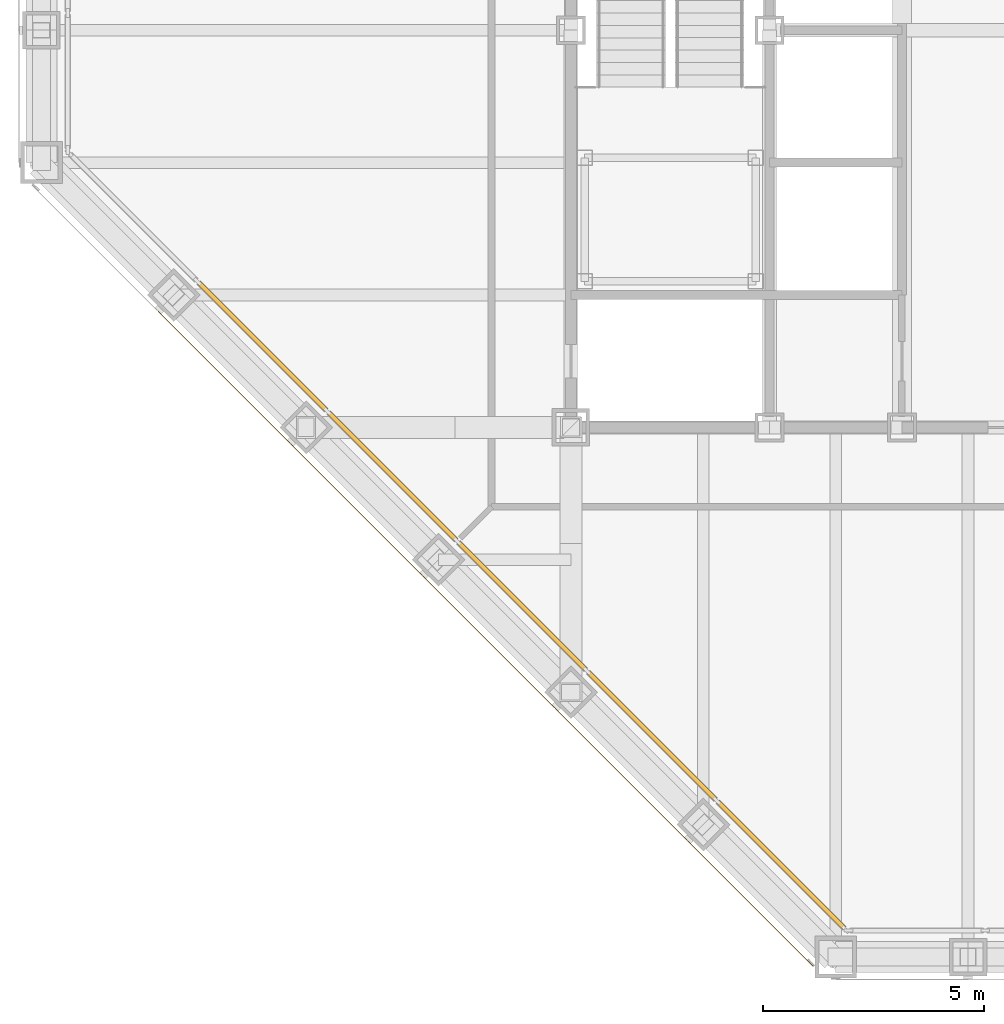
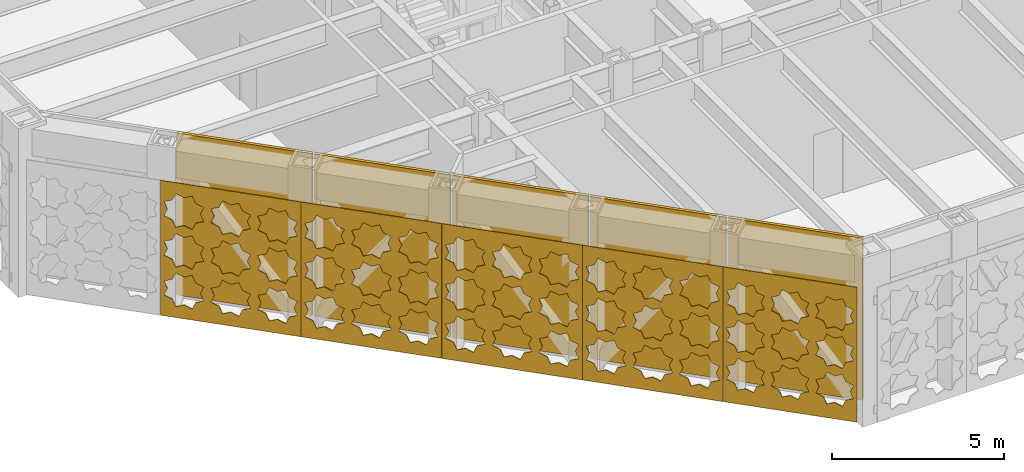
# One storey, part 21 of 28: 5 coverings, 5 shading devices, 1 element without a shape of its own.
"""IFC4 building model written with IfcOpenShell, lengths in metres."""

from ifc_helpers import new_model, si_unit, direction, frame, origin, origin_2d, place, context, subcontext, project, spatial, polyline, rectangle, outline, extrude, material, layer, layer_set, type_object, element, aggregate, save


model = new_model("IFC4")

# Units and contexts
model_context = context("Model", 3, precision=1e-05, world=origin(), true_north=direction((0.0, 1.0)))
body_context = subcontext(model_context, "Body", "Model", "MODEL_VIEW")
ifc_project = project(units=[si_unit("LENGTHUNIT", "METRE"), si_unit("AREAUNIT", "SQUARE_METRE"), si_unit("VOLUMEUNIT", "CUBIC_METRE"), si_unit("PLANEANGLEUNIT", "RADIAN"), si_unit("MASSUNIT", "GRAM", prefix="KILO")], contexts=[model_context])

# Site, building, storey
site_placement = place(None, origin())
site = spatial("IfcSite", under=ifc_project, at=site_placement, CompositionType="ELEMENT")
building_placement = place(site_placement, origin())
building = spatial("IfcBuilding", under=site, at=building_placement, Name="Chuquiago Exchange Tower", CompositionType="ELEMENT")
storey_placement = place(building_placement, frame((0.0, 0.0, 174.0)))
storey = spatial("IfcBuildingStorey", under=building, at=storey_placement, Name="L38", CompositionType="ELEMENT", Elevation=174.0)

# Curtain wall, shading devices
ifc_material_1 = material(Name="Aluminium curtain wall system", Category="aluminium")
ifc_layer_1 = layer(ifc_material_1, 0.199951171875)
ifc_layer_set_1 = layer_set([ifc_layer_1], Name="CW6 plant floor louvre wall")
curtain_wall_type = type_object("IfcCurtainWallType", Name="CW6 plant floor louvre wall", PredefinedType="NOTDEFINED", material=ifc_layer_set_1)
curtain_wall_placement = place(storey_placement, origin())
curtain_wall = element("IfcCurtainWall", 1, at=curtain_wall_placement, inside=storey, type_object=curtain_wall_type, Name="CW6 curtain wall L38", PredefinedType="NOTDEFINED")
ifc_material_2 = material(Name="Aluminium louvre", Category="aluminium")
ifc_layer_2 = layer(ifc_material_2, 0.10009765625)
ifc_layer_set_2 = layer_set([ifc_layer_2], Name="CW6-P louvre panel 100")
shading_device_type = type_object("IfcShadingDeviceType", Name="CW6-P louvre panel 100", PredefinedType="USERDEFINED", material=ifc_layer_set_2)
shading_device_1_placement = place(storey_placement, frame((5.01220703125, 13.83642578125, 0.0751953125), z_axis=(0.0, 0.0, 1.0), x_axis=(0.707106781187, -0.707106781187, 0.0)))
shading_device_1 = element("IfcShadingDevice", 2, at=shading_device_1_placement, type_object=shading_device_type, Name="CW6 panel 2.1", ObjectType="LOUVER", PredefinedType="USERDEFINED", context=body_context, shape_type="SweptSolid", body=[
    extrude(rectangle(XDim=4.084716796875, YDim=0.10009765625, at=origin_2d()), origin(), (0.0, 0.0, 1.0), 5.764892578125),
])
shading_device_2_placement = place(storey_placement, frame((7.95361328125, 10.89501953125, 0.0751953125), z_axis=(0.0, 0.0, 1.0), x_axis=(0.707106781187, -0.707106781187, 0.0)))
shading_device_2 = element("IfcShadingDevice", 3, at=shading_device_2_placement, type_object=shading_device_type, Name="CW6 panel 3.1", ObjectType="LOUVER", PredefinedType="USERDEFINED", context=body_context, shape_type="SweptSolid", body=[
    extrude(rectangle(XDim=4.084716796875, YDim=0.10009765625, at=origin_2d()), origin(), (0.0, 0.0, 1.0), 5.764892578125),
])
shading_device_3_placement = place(storey_placement, frame((10.89501953125, 7.95361328125, 0.0751953125), z_axis=(0.0, 0.0, 1.0), x_axis=(0.707106781187, -0.707106781187, 0.0)))
shading_device_3 = element("IfcShadingDevice", 4, at=shading_device_3_placement, type_object=shading_device_type, Name="CW6 panel 4.1", ObjectType="LOUVER", PredefinedType="USERDEFINED", context=body_context, shape_type="SweptSolid", body=[
    extrude(rectangle(XDim=4.084716796875, YDim=0.10009765625, at=origin_2d()), origin(), (0.0, 0.0, 1.0), 5.764892578125),
])
shading_device_4_placement = place(storey_placement, frame((13.83642578125, 5.01220703125, 0.0751953125), z_axis=(0.0, 0.0, 1.0), x_axis=(0.707106781187, -0.707106781187, 0.0)))
shading_device_4 = element("IfcShadingDevice", 5, at=shading_device_4_placement, type_object=shading_device_type, Name="CW6 panel 5.1", ObjectType="LOUVER", PredefinedType="USERDEFINED", context=body_context, shape_type="SweptSolid", body=[
    extrude(rectangle(XDim=4.084716796875, YDim=0.10009765625, at=origin_2d()), origin(), (0.0, 0.0, 1.0), 5.764892578125),
])
shading_device_5_placement = place(storey_placement, frame((16.7646484375, 2.083984375, 0.0751953125), z_axis=(0.0, 0.0, 1.0), x_axis=(0.707106781187, -0.707106781187, 0.0)))
shading_device_5 = element("IfcShadingDevice", 6, at=shading_device_5_placement, type_object=shading_device_type, Name="CW6 panel 6.1", ObjectType="LOUVER", PredefinedType="USERDEFINED", context=body_context, shape_type="SweptSolid", body=[
    extrude(rectangle(XDim=4.04736328125, YDim=0.10009765625, at=origin_2d()), origin(), (0.0, 0.0, 1.0), 5.764892578125),
])
aggregate(curtain_wall, [shading_device_1, shading_device_2, shading_device_3, shading_device_4, shading_device_5])

# Coverings
ifc_material_3 = material(Name="Anodised aluminium, pale", Category="aluminium")
ifc_layer_3 = layer(ifc_material_3, 0.02001953125)
ifc_layer_set_3 = layer_set([ifc_layer_3], Name="GC2 girih cladding panel 20")
covering_type_1 = type_object("IfcCoveringType", Name="GC2 girih cladding panel 20", PredefinedType="CLADDING", material=ifc_layer_set_3)
covering_1_placement = place(storey_placement, frame((2.64990234375, 14.642822265625, 0.050048828125), z_axis=(0.0, 0.0, 1.0), x_axis=(0.707106781187, -0.707106781187, 0.0)))
element("IfcCovering", 7, at=covering_1_placement, inside=storey, type_object=covering_type_1, Name="Girih cladding panel L38 SW 2", PredefinedType="CLADDING", context=body_context, shape_type="SweptSolid", body=[
    extrude(outline(polyline([(0.0, 0.0), (4.232666015625, 0.0), (4.232666015625, 4.7900390625), (0.0, 4.7900390625), (0.0, 0.0)]), holes=[polyline([(1.2021484375, 0.984130859375), (1.304931640625, 1.232421875), (1.056640625, 1.33544921875), (0.953857421875, 1.583740234375), (0.70556640625, 1.480712890625), (0.45703125, 1.583740234375), (0.354248046875, 1.33544921875), (0.10595703125, 1.232421875), (0.208740234375, 0.984130859375), (0.10595703125, 0.735595703125), (0.354248046875, 0.6328125), (0.45703125, 0.384521484375), (0.705322265625, 0.4873046875), (0.953857421875, 0.384521484375), (1.056640625, 0.6328125), (1.304931640625, 0.735595703125), (1.2021484375, 0.984130859375)]), polyline([(2.613037109375, 0.984130859375), (2.7158203125, 1.232421875), (2.467529296875, 1.33544921875), (2.36474609375, 1.583740234375), (2.116455078125, 1.480712890625), (1.867919921875, 1.583740234375), (1.76513671875, 1.33544921875), (1.516845703125, 1.232421875), (1.61962890625, 0.984130859375), (1.516845703125, 0.735595703125), (1.76513671875, 0.6328125), (1.867919921875, 0.384521484375), (2.116455078125, 0.4873046875), (2.36474609375, 0.384521484375), (2.467529296875, 0.6328125), (2.7158203125, 0.735595703125), (2.613037109375, 0.984130859375)]), polyline([(4.02392578125, 0.984130859375), (4.126708984375, 1.232421875), (3.87841796875, 1.33544921875), (3.775634765625, 1.583740234375), (3.527099609375, 1.480712890625), (3.27880859375, 1.583740234375), (3.176025390625, 1.33544921875), (2.927734375, 1.232421875), (3.030517578125, 0.984130859375), (2.927734375, 0.735595703125), (3.176025390625, 0.6328125), (3.27880859375, 0.384521484375), (3.527099609375, 0.4873046875), (3.775634765625, 0.384521484375), (3.87841796875, 0.6328125), (4.126708984375, 0.735595703125), (4.02392578125, 0.984130859375)]), polyline([(1.2021484375, 2.39501953125), (1.304931640625, 2.643310546875), (1.056640625, 2.746337890625), (0.953857421875, 2.99462890625), (0.70556640625, 2.8916015625), (0.45703125, 2.99462890625), (0.354248046875, 2.746337890625), (0.10595703125, 2.643310546875), (0.208740234375, 2.39501953125), (0.10595703125, 2.146484375), (0.354248046875, 2.043701171875), (0.45703125, 1.79541015625), (0.705322265625, 1.898193359375), (0.953857421875, 1.79541015625), (1.056640625, 2.043701171875), (1.304931640625, 2.146484375), (1.2021484375, 2.39501953125)]), polyline([(2.613037109375, 2.39501953125), (2.7158203125, 2.643310546875), (2.467529296875, 2.746337890625), (2.36474609375, 2.99462890625), (2.116455078125, 2.8916015625), (1.867919921875, 2.99462890625), (1.76513671875, 2.746337890625), (1.516845703125, 2.643310546875), (1.61962890625, 2.39501953125), (1.516845703125, 2.146484375), (1.76513671875, 2.043701171875), (1.867919921875, 1.79541015625), (2.116455078125, 1.898193359375), (2.36474609375, 1.79541015625), (2.467529296875, 2.043701171875), (2.7158203125, 2.146484375), (2.613037109375, 2.39501953125)]), polyline([(4.02392578125, 2.39501953125), (4.126708984375, 2.643310546875), (3.87841796875, 2.746337890625), (3.775634765625, 2.99462890625), (3.527099609375, 2.8916015625), (3.27880859375, 2.99462890625), (3.176025390625, 2.746337890625), (2.927734375, 2.643310546875), (3.030517578125, 2.39501953125), (2.927734375, 2.146484375), (3.176025390625, 2.043701171875), (3.27880859375, 1.79541015625), (3.527099609375, 1.898193359375), (3.775634765625, 1.79541015625), (3.87841796875, 2.043701171875), (4.126708984375, 2.146484375), (4.02392578125, 2.39501953125)]), polyline([(1.2021484375, 3.805908203125), (1.304931640625, 4.05419921875), (1.056640625, 4.1572265625), (0.953857421875, 4.405517578125), (0.70556640625, 4.302490234375), (0.45703125, 4.405517578125), (0.354248046875, 4.1572265625), (0.10595703125, 4.05419921875), (0.208740234375, 3.805908203125), (0.10595703125, 3.557373046875), (0.354248046875, 3.45458984375), (0.45703125, 3.206298828125), (0.705322265625, 3.30908203125), (0.953857421875, 3.206298828125), (1.056640625, 3.45458984375), (1.304931640625, 3.557373046875), (1.2021484375, 3.805908203125)]), polyline([(2.613037109375, 3.805908203125), (2.7158203125, 4.05419921875), (2.467529296875, 4.1572265625), (2.36474609375, 4.405517578125), (2.116455078125, 4.302490234375), (1.867919921875, 4.405517578125), (1.76513671875, 4.1572265625), (1.516845703125, 4.05419921875), (1.61962890625, 3.805908203125), (1.516845703125, 3.557373046875), (1.76513671875, 3.45458984375), (1.867919921875, 3.206298828125), (2.116455078125, 3.30908203125), (2.36474609375, 3.206298828125), (2.467529296875, 3.45458984375), (2.7158203125, 3.557373046875), (2.613037109375, 3.805908203125)]), polyline([(4.02392578125, 3.805908203125), (4.126708984375, 4.05419921875), (3.87841796875, 4.1572265625), (3.775634765625, 4.405517578125), (3.527099609375, 4.302490234375), (3.27880859375, 4.405517578125), (3.176025390625, 4.1572265625), (2.927734375, 4.05419921875), (3.030517578125, 3.805908203125), (2.927734375, 3.557373046875), (3.176025390625, 3.45458984375), (3.27880859375, 3.206298828125), (3.527099609375, 3.30908203125), (3.775634765625, 3.206298828125), (3.87841796875, 3.45458984375), (4.126708984375, 3.557373046875), (4.02392578125, 3.805908203125)])]), frame((0.0, 0.0, 0.0), z_axis=(0.0, -1.0, 0.0), x_axis=(1.0, 0.0, 0.0)), (0.0, 0.0, 1.0), 0.02001953125),
])
covering_2_placement = place(storey_placement, frame((5.64990234375, 11.642822265625, 0.050048828125), z_axis=(0.0, 0.0, 1.0), x_axis=(0.707106781187, -0.707106781187, 0.0)))
element("IfcCovering", 8, at=covering_2_placement, inside=storey, type_object=covering_type_1, Name="Girih cladding panel L38 SW 3", PredefinedType="CLADDING", context=body_context, shape_type="SweptSolid", body=[
    extrude(outline(polyline([(0.0, 0.0), (4.232666015625, 0.0), (4.232666015625, 4.7900390625), (0.0, 4.7900390625), (0.0, 0.0)]), holes=[polyline([(1.2021484375, 0.984130859375), (1.304931640625, 1.232421875), (1.056640625, 1.33544921875), (0.953857421875, 1.583740234375), (0.70556640625, 1.480712890625), (0.45703125, 1.583740234375), (0.354248046875, 1.33544921875), (0.10595703125, 1.232421875), (0.208740234375, 0.984130859375), (0.10595703125, 0.735595703125), (0.354248046875, 0.6328125), (0.45703125, 0.384521484375), (0.705322265625, 0.4873046875), (0.953857421875, 0.384521484375), (1.056640625, 0.6328125), (1.304931640625, 0.735595703125), (1.2021484375, 0.984130859375)]), polyline([(2.613037109375, 0.984130859375), (2.7158203125, 1.232421875), (2.467529296875, 1.33544921875), (2.36474609375, 1.583740234375), (2.116455078125, 1.480712890625), (1.867919921875, 1.583740234375), (1.76513671875, 1.33544921875), (1.516845703125, 1.232421875), (1.61962890625, 0.984130859375), (1.516845703125, 0.735595703125), (1.76513671875, 0.6328125), (1.867919921875, 0.384521484375), (2.116455078125, 0.4873046875), (2.36474609375, 0.384521484375), (2.467529296875, 0.6328125), (2.7158203125, 0.735595703125), (2.613037109375, 0.984130859375)]), polyline([(4.02392578125, 0.984130859375), (4.126708984375, 1.232421875), (3.87841796875, 1.33544921875), (3.775634765625, 1.583740234375), (3.527099609375, 1.480712890625), (3.27880859375, 1.583740234375), (3.176025390625, 1.33544921875), (2.927734375, 1.232421875), (3.030517578125, 0.984130859375), (2.927734375, 0.735595703125), (3.176025390625, 0.6328125), (3.27880859375, 0.384521484375), (3.527099609375, 0.4873046875), (3.775634765625, 0.384521484375), (3.87841796875, 0.6328125), (4.126708984375, 0.735595703125), (4.02392578125, 0.984130859375)]), polyline([(1.2021484375, 2.39501953125), (1.304931640625, 2.643310546875), (1.056640625, 2.746337890625), (0.953857421875, 2.99462890625), (0.70556640625, 2.8916015625), (0.45703125, 2.99462890625), (0.354248046875, 2.746337890625), (0.10595703125, 2.643310546875), (0.208740234375, 2.39501953125), (0.10595703125, 2.146484375), (0.354248046875, 2.043701171875), (0.45703125, 1.79541015625), (0.705322265625, 1.898193359375), (0.953857421875, 1.79541015625), (1.056640625, 2.043701171875), (1.304931640625, 2.146484375), (1.2021484375, 2.39501953125)]), polyline([(2.613037109375, 2.39501953125), (2.7158203125, 2.643310546875), (2.467529296875, 2.746337890625), (2.36474609375, 2.99462890625), (2.116455078125, 2.8916015625), (1.867919921875, 2.99462890625), (1.76513671875, 2.746337890625), (1.516845703125, 2.643310546875), (1.61962890625, 2.39501953125), (1.516845703125, 2.146484375), (1.76513671875, 2.043701171875), (1.867919921875, 1.79541015625), (2.116455078125, 1.898193359375), (2.36474609375, 1.79541015625), (2.467529296875, 2.043701171875), (2.7158203125, 2.146484375), (2.613037109375, 2.39501953125)]), polyline([(4.02392578125, 2.39501953125), (4.126708984375, 2.643310546875), (3.87841796875, 2.746337890625), (3.775634765625, 2.99462890625), (3.527099609375, 2.8916015625), (3.27880859375, 2.99462890625), (3.176025390625, 2.746337890625), (2.927734375, 2.643310546875), (3.030517578125, 2.39501953125), (2.927734375, 2.146484375), (3.176025390625, 2.043701171875), (3.27880859375, 1.79541015625), (3.527099609375, 1.898193359375), (3.775634765625, 1.79541015625), (3.87841796875, 2.043701171875), (4.126708984375, 2.146484375), (4.02392578125, 2.39501953125)]), polyline([(1.2021484375, 3.805908203125), (1.304931640625, 4.05419921875), (1.056640625, 4.1572265625), (0.953857421875, 4.405517578125), (0.70556640625, 4.302490234375), (0.45703125, 4.405517578125), (0.354248046875, 4.1572265625), (0.10595703125, 4.05419921875), (0.208740234375, 3.805908203125), (0.10595703125, 3.557373046875), (0.354248046875, 3.45458984375), (0.45703125, 3.206298828125), (0.705322265625, 3.30908203125), (0.953857421875, 3.206298828125), (1.056640625, 3.45458984375), (1.304931640625, 3.557373046875), (1.2021484375, 3.805908203125)]), polyline([(2.613037109375, 3.805908203125), (2.7158203125, 4.05419921875), (2.467529296875, 4.1572265625), (2.36474609375, 4.405517578125), (2.116455078125, 4.302490234375), (1.867919921875, 4.405517578125), (1.76513671875, 4.1572265625), (1.516845703125, 4.05419921875), (1.61962890625, 3.805908203125), (1.516845703125, 3.557373046875), (1.76513671875, 3.45458984375), (1.867919921875, 3.206298828125), (2.116455078125, 3.30908203125), (2.36474609375, 3.206298828125), (2.467529296875, 3.45458984375), (2.7158203125, 3.557373046875), (2.613037109375, 3.805908203125)]), polyline([(4.02392578125, 3.805908203125), (4.126708984375, 4.05419921875), (3.87841796875, 4.1572265625), (3.775634765625, 4.405517578125), (3.527099609375, 4.302490234375), (3.27880859375, 4.405517578125), (3.176025390625, 4.1572265625), (2.927734375, 4.05419921875), (3.030517578125, 3.805908203125), (2.927734375, 3.557373046875), (3.176025390625, 3.45458984375), (3.27880859375, 3.206298828125), (3.527099609375, 3.30908203125), (3.775634765625, 3.206298828125), (3.87841796875, 3.45458984375), (4.126708984375, 3.557373046875), (4.02392578125, 3.805908203125)])]), frame((0.0, 0.0, 0.0), z_axis=(0.0, -1.0, 0.0), x_axis=(1.0, 0.0, 0.0)), (0.0, 0.0, 1.0), 0.02001953125),
])
covering_3_placement = place(storey_placement, frame((8.64990234375, 8.642822265625, 0.050048828125), z_axis=(0.0, 0.0, 1.0), x_axis=(0.707106781187, -0.707106781187, 0.0)))
element("IfcCovering", 9, at=covering_3_placement, inside=storey, type_object=covering_type_1, Name="Girih cladding panel L38 SW 4", PredefinedType="CLADDING", context=body_context, shape_type="SweptSolid", body=[
    extrude(outline(polyline([(0.0, 0.0), (4.232666015625, 0.0), (4.232666015625, 4.7900390625), (0.0, 4.7900390625), (0.0, 0.0)]), holes=[polyline([(1.2021484375, 0.984130859375), (1.304931640625, 1.232421875), (1.056640625, 1.33544921875), (0.953857421875, 1.583740234375), (0.70556640625, 1.480712890625), (0.45703125, 1.583740234375), (0.354248046875, 1.33544921875), (0.10595703125, 1.232421875), (0.208740234375, 0.984130859375), (0.10595703125, 0.735595703125), (0.354248046875, 0.6328125), (0.45703125, 0.384521484375), (0.705322265625, 0.4873046875), (0.953857421875, 0.384521484375), (1.056640625, 0.6328125), (1.304931640625, 0.735595703125), (1.2021484375, 0.984130859375)]), polyline([(2.613037109375, 0.984130859375), (2.7158203125, 1.232421875), (2.467529296875, 1.33544921875), (2.36474609375, 1.583740234375), (2.116455078125, 1.480712890625), (1.867919921875, 1.583740234375), (1.76513671875, 1.33544921875), (1.516845703125, 1.232421875), (1.61962890625, 0.984130859375), (1.516845703125, 0.735595703125), (1.76513671875, 0.6328125), (1.867919921875, 0.384521484375), (2.116455078125, 0.4873046875), (2.36474609375, 0.384521484375), (2.467529296875, 0.6328125), (2.7158203125, 0.735595703125), (2.613037109375, 0.984130859375)]), polyline([(4.02392578125, 0.984130859375), (4.126708984375, 1.232421875), (3.87841796875, 1.33544921875), (3.775634765625, 1.583740234375), (3.527099609375, 1.480712890625), (3.27880859375, 1.583740234375), (3.176025390625, 1.33544921875), (2.927734375, 1.232421875), (3.030517578125, 0.984130859375), (2.927734375, 0.735595703125), (3.176025390625, 0.6328125), (3.27880859375, 0.384521484375), (3.527099609375, 0.4873046875), (3.775634765625, 0.384521484375), (3.87841796875, 0.6328125), (4.126708984375, 0.735595703125), (4.02392578125, 0.984130859375)]), polyline([(1.2021484375, 2.39501953125), (1.304931640625, 2.643310546875), (1.056640625, 2.746337890625), (0.953857421875, 2.99462890625), (0.70556640625, 2.8916015625), (0.45703125, 2.99462890625), (0.354248046875, 2.746337890625), (0.10595703125, 2.643310546875), (0.208740234375, 2.39501953125), (0.10595703125, 2.146484375), (0.354248046875, 2.043701171875), (0.45703125, 1.79541015625), (0.705322265625, 1.898193359375), (0.953857421875, 1.79541015625), (1.056640625, 2.043701171875), (1.304931640625, 2.146484375), (1.2021484375, 2.39501953125)]), polyline([(2.613037109375, 2.39501953125), (2.7158203125, 2.643310546875), (2.467529296875, 2.746337890625), (2.36474609375, 2.99462890625), (2.116455078125, 2.8916015625), (1.867919921875, 2.99462890625), (1.76513671875, 2.746337890625), (1.516845703125, 2.643310546875), (1.61962890625, 2.39501953125), (1.516845703125, 2.146484375), (1.76513671875, 2.043701171875), (1.867919921875, 1.79541015625), (2.116455078125, 1.898193359375), (2.36474609375, 1.79541015625), (2.467529296875, 2.043701171875), (2.7158203125, 2.146484375), (2.613037109375, 2.39501953125)]), polyline([(4.02392578125, 2.39501953125), (4.126708984375, 2.643310546875), (3.87841796875, 2.746337890625), (3.775634765625, 2.99462890625), (3.527099609375, 2.8916015625), (3.27880859375, 2.99462890625), (3.176025390625, 2.746337890625), (2.927734375, 2.643310546875), (3.030517578125, 2.39501953125), (2.927734375, 2.146484375), (3.176025390625, 2.043701171875), (3.27880859375, 1.79541015625), (3.527099609375, 1.898193359375), (3.775634765625, 1.79541015625), (3.87841796875, 2.043701171875), (4.126708984375, 2.146484375), (4.02392578125, 2.39501953125)]), polyline([(1.2021484375, 3.805908203125), (1.304931640625, 4.05419921875), (1.056640625, 4.1572265625), (0.953857421875, 4.405517578125), (0.70556640625, 4.302490234375), (0.45703125, 4.405517578125), (0.354248046875, 4.1572265625), (0.10595703125, 4.05419921875), (0.208740234375, 3.805908203125), (0.10595703125, 3.557373046875), (0.354248046875, 3.45458984375), (0.45703125, 3.206298828125), (0.705322265625, 3.30908203125), (0.953857421875, 3.206298828125), (1.056640625, 3.45458984375), (1.304931640625, 3.557373046875), (1.2021484375, 3.805908203125)]), polyline([(2.613037109375, 3.805908203125), (2.7158203125, 4.05419921875), (2.467529296875, 4.1572265625), (2.36474609375, 4.405517578125), (2.116455078125, 4.302490234375), (1.867919921875, 4.405517578125), (1.76513671875, 4.1572265625), (1.516845703125, 4.05419921875), (1.61962890625, 3.805908203125), (1.516845703125, 3.557373046875), (1.76513671875, 3.45458984375), (1.867919921875, 3.206298828125), (2.116455078125, 3.30908203125), (2.36474609375, 3.206298828125), (2.467529296875, 3.45458984375), (2.7158203125, 3.557373046875), (2.613037109375, 3.805908203125)]), polyline([(4.02392578125, 3.805908203125), (4.126708984375, 4.05419921875), (3.87841796875, 4.1572265625), (3.775634765625, 4.405517578125), (3.527099609375, 4.302490234375), (3.27880859375, 4.405517578125), (3.176025390625, 4.1572265625), (2.927734375, 4.05419921875), (3.030517578125, 3.805908203125), (2.927734375, 3.557373046875), (3.176025390625, 3.45458984375), (3.27880859375, 3.206298828125), (3.527099609375, 3.30908203125), (3.775634765625, 3.206298828125), (3.87841796875, 3.45458984375), (4.126708984375, 3.557373046875), (4.02392578125, 3.805908203125)])]), frame((0.0, 0.0, 0.0), z_axis=(0.0, -1.0, 0.0), x_axis=(1.0, 0.0, 0.0)), (0.0, 0.0, 1.0), 0.02001953125),
])
covering_4_placement = place(storey_placement, frame((11.64990234375, 5.642822265625, 0.050048828125), z_axis=(0.0, 0.0, 1.0), x_axis=(0.707106781187, -0.707106781187, 0.0)))
element("IfcCovering", 10, at=covering_4_placement, inside=storey, type_object=covering_type_1, Name="Girih cladding panel L38 SW 5", PredefinedType="CLADDING", context=body_context, shape_type="SweptSolid", body=[
    extrude(outline(polyline([(0.0, 0.0), (4.232666015625, 0.0), (4.232666015625, 4.7900390625), (0.0, 4.7900390625), (0.0, 0.0)]), holes=[polyline([(1.2021484375, 0.984130859375), (1.304931640625, 1.232421875), (1.056640625, 1.33544921875), (0.953857421875, 1.583740234375), (0.70556640625, 1.480712890625), (0.45703125, 1.583740234375), (0.354248046875, 1.33544921875), (0.10595703125, 1.232421875), (0.208740234375, 0.984130859375), (0.10595703125, 0.735595703125), (0.354248046875, 0.6328125), (0.45703125, 0.384521484375), (0.705322265625, 0.4873046875), (0.953857421875, 0.384521484375), (1.056640625, 0.6328125), (1.304931640625, 0.735595703125), (1.2021484375, 0.984130859375)]), polyline([(2.613037109375, 0.984130859375), (2.7158203125, 1.232421875), (2.467529296875, 1.33544921875), (2.36474609375, 1.583740234375), (2.116455078125, 1.480712890625), (1.867919921875, 1.583740234375), (1.76513671875, 1.33544921875), (1.516845703125, 1.232421875), (1.61962890625, 0.984130859375), (1.516845703125, 0.735595703125), (1.76513671875, 0.6328125), (1.867919921875, 0.384521484375), (2.116455078125, 0.4873046875), (2.36474609375, 0.384521484375), (2.467529296875, 0.6328125), (2.7158203125, 0.735595703125), (2.613037109375, 0.984130859375)]), polyline([(4.02392578125, 0.984130859375), (4.126708984375, 1.232421875), (3.87841796875, 1.33544921875), (3.775634765625, 1.583740234375), (3.527099609375, 1.480712890625), (3.27880859375, 1.583740234375), (3.176025390625, 1.33544921875), (2.927734375, 1.232421875), (3.030517578125, 0.984130859375), (2.927734375, 0.735595703125), (3.176025390625, 0.6328125), (3.27880859375, 0.384521484375), (3.527099609375, 0.4873046875), (3.775634765625, 0.384521484375), (3.87841796875, 0.6328125), (4.126708984375, 0.735595703125), (4.02392578125, 0.984130859375)]), polyline([(1.2021484375, 2.39501953125), (1.304931640625, 2.643310546875), (1.056640625, 2.746337890625), (0.953857421875, 2.99462890625), (0.70556640625, 2.8916015625), (0.45703125, 2.99462890625), (0.354248046875, 2.746337890625), (0.10595703125, 2.643310546875), (0.208740234375, 2.39501953125), (0.10595703125, 2.146484375), (0.354248046875, 2.043701171875), (0.45703125, 1.79541015625), (0.705322265625, 1.898193359375), (0.953857421875, 1.79541015625), (1.056640625, 2.043701171875), (1.304931640625, 2.146484375), (1.2021484375, 2.39501953125)]), polyline([(2.613037109375, 2.39501953125), (2.7158203125, 2.643310546875), (2.467529296875, 2.746337890625), (2.36474609375, 2.99462890625), (2.116455078125, 2.8916015625), (1.867919921875, 2.99462890625), (1.76513671875, 2.746337890625), (1.516845703125, 2.643310546875), (1.61962890625, 2.39501953125), (1.516845703125, 2.146484375), (1.76513671875, 2.043701171875), (1.867919921875, 1.79541015625), (2.116455078125, 1.898193359375), (2.36474609375, 1.79541015625), (2.467529296875, 2.043701171875), (2.7158203125, 2.146484375), (2.613037109375, 2.39501953125)]), polyline([(4.02392578125, 2.39501953125), (4.126708984375, 2.643310546875), (3.87841796875, 2.746337890625), (3.775634765625, 2.99462890625), (3.527099609375, 2.8916015625), (3.27880859375, 2.99462890625), (3.176025390625, 2.746337890625), (2.927734375, 2.643310546875), (3.030517578125, 2.39501953125), (2.927734375, 2.146484375), (3.176025390625, 2.043701171875), (3.27880859375, 1.79541015625), (3.527099609375, 1.898193359375), (3.775634765625, 1.79541015625), (3.87841796875, 2.043701171875), (4.126708984375, 2.146484375), (4.02392578125, 2.39501953125)]), polyline([(1.2021484375, 3.805908203125), (1.304931640625, 4.05419921875), (1.056640625, 4.1572265625), (0.953857421875, 4.405517578125), (0.70556640625, 4.302490234375), (0.45703125, 4.405517578125), (0.354248046875, 4.1572265625), (0.10595703125, 4.05419921875), (0.208740234375, 3.805908203125), (0.10595703125, 3.557373046875), (0.354248046875, 3.45458984375), (0.45703125, 3.206298828125), (0.705322265625, 3.30908203125), (0.953857421875, 3.206298828125), (1.056640625, 3.45458984375), (1.304931640625, 3.557373046875), (1.2021484375, 3.805908203125)]), polyline([(2.613037109375, 3.805908203125), (2.7158203125, 4.05419921875), (2.467529296875, 4.1572265625), (2.36474609375, 4.405517578125), (2.116455078125, 4.302490234375), (1.867919921875, 4.405517578125), (1.76513671875, 4.1572265625), (1.516845703125, 4.05419921875), (1.61962890625, 3.805908203125), (1.516845703125, 3.557373046875), (1.76513671875, 3.45458984375), (1.867919921875, 3.206298828125), (2.116455078125, 3.30908203125), (2.36474609375, 3.206298828125), (2.467529296875, 3.45458984375), (2.7158203125, 3.557373046875), (2.613037109375, 3.805908203125)]), polyline([(4.02392578125, 3.805908203125), (4.126708984375, 4.05419921875), (3.87841796875, 4.1572265625), (3.775634765625, 4.405517578125), (3.527099609375, 4.302490234375), (3.27880859375, 4.405517578125), (3.176025390625, 4.1572265625), (2.927734375, 4.05419921875), (3.030517578125, 3.805908203125), (2.927734375, 3.557373046875), (3.176025390625, 3.45458984375), (3.27880859375, 3.206298828125), (3.527099609375, 3.30908203125), (3.775634765625, 3.206298828125), (3.87841796875, 3.45458984375), (4.126708984375, 3.557373046875), (4.02392578125, 3.805908203125)])]), frame((0.0, 0.0, 0.0), z_axis=(0.0, -1.0, 0.0), x_axis=(1.0, 0.0, 0.0)), (0.0, 0.0, 1.0), 0.02001953125),
])
ifc_material_4 = material(Name="Anodised aluminium, pale", Category="aluminium")
ifc_layer_4 = layer(ifc_material_4, 0.02001953125)
ifc_layer_set_4 = layer_set([ifc_layer_4], Name="GC5 girih cladding panel 20")
covering_type_2 = type_object("IfcCoveringType", Name="GC5 girih cladding panel 20", PredefinedType="CLADDING", material=ifc_layer_set_4)
covering_5_placement = place(storey_placement, frame((14.64990234375, 2.642822265625, 0.050048828125), z_axis=(0.0, 0.0, 1.0), x_axis=(0.707106781187, -0.707106781187, 0.0)))
element("IfcCovering", 11, at=covering_5_placement, inside=storey, type_object=covering_type_2, Name="Girih cladding panel L38 SW 6", PredefinedType="CLADDING", context=body_context, shape_type="SweptSolid", body=[
    extrude(outline(polyline([(0.0, 0.0), (4.030517578125, 0.0), (4.030517578125, 4.7900390625), (0.0, 4.7900390625), (0.0, 0.0)]), holes=[polyline([(1.144775390625, 1.051513671875), (1.24267578125, 1.287841796875), (1.006103515625, 1.385986328125), (0.908203125, 1.62255859375), (0.671630859375, 1.5244140625), (0.435302734375, 1.62255859375), (0.33740234375, 1.385986328125), (0.100830078125, 1.287841796875), (0.19873046875, 1.051513671875), (0.100830078125, 0.81494140625), (0.33740234375, 0.717041015625), (0.435302734375, 0.48046875), (0.671630859375, 0.578369140625), (0.908203125, 0.48046875), (1.006103515625, 0.717041015625), (1.24267578125, 0.81494140625), (1.144775390625, 1.051513671875)]), polyline([(2.48828125, 1.051513671875), (2.586181640625, 1.287841796875), (2.349609375, 1.385986328125), (2.251708984375, 1.62255859375), (2.01513671875, 1.5244140625), (1.77880859375, 1.62255859375), (1.680908203125, 1.385986328125), (1.4443359375, 1.287841796875), (1.542236328125, 1.051513671875), (1.4443359375, 0.81494140625), (1.680908203125, 0.717041015625), (1.77880859375, 0.48046875), (2.01513671875, 0.578369140625), (2.251708984375, 0.48046875), (2.349609375, 0.717041015625), (2.586181640625, 0.81494140625), (2.48828125, 1.051513671875)]), polyline([(3.831787109375, 1.051513671875), (3.9296875, 1.287841796875), (3.693115234375, 1.385986328125), (3.59521484375, 1.62255859375), (3.358642578125, 1.5244140625), (3.122314453125, 1.62255859375), (3.0244140625, 1.385986328125), (2.787841796875, 1.287841796875), (2.8857421875, 1.051513671875), (2.787841796875, 0.81494140625), (3.0244140625, 0.717041015625), (3.122314453125, 0.48046875), (3.358642578125, 0.578369140625), (3.59521484375, 0.48046875), (3.693115234375, 0.717041015625), (3.9296875, 0.81494140625), (3.831787109375, 1.051513671875)]), polyline([(1.144775390625, 2.39501953125), (1.24267578125, 2.63134765625), (1.006103515625, 2.7294921875), (0.908203125, 2.966064453125), (0.671630859375, 2.867919921875), (0.435302734375, 2.966064453125), (0.33740234375, 2.7294921875), (0.100830078125, 2.63134765625), (0.19873046875, 2.39501953125), (0.100830078125, 2.158447265625), (0.33740234375, 2.060546875), (0.435302734375, 1.823974609375), (0.671630859375, 1.921875), (0.908203125, 1.823974609375), (1.006103515625, 2.060546875), (1.24267578125, 2.158447265625), (1.144775390625, 2.39501953125)]), polyline([(2.48828125, 2.39501953125), (2.586181640625, 2.63134765625), (2.349609375, 2.7294921875), (2.251708984375, 2.966064453125), (2.01513671875, 2.867919921875), (1.77880859375, 2.966064453125), (1.680908203125, 2.7294921875), (1.4443359375, 2.63134765625), (1.542236328125, 2.39501953125), (1.4443359375, 2.158447265625), (1.680908203125, 2.060546875), (1.77880859375, 1.823974609375), (2.01513671875, 1.921875), (2.251708984375, 1.823974609375), (2.349609375, 2.060546875), (2.586181640625, 2.158447265625), (2.48828125, 2.39501953125)]), polyline([(3.831787109375, 2.39501953125), (3.9296875, 2.63134765625), (3.693115234375, 2.7294921875), (3.59521484375, 2.966064453125), (3.358642578125, 2.867919921875), (3.122314453125, 2.966064453125), (3.0244140625, 2.7294921875), (2.787841796875, 2.63134765625), (2.8857421875, 2.39501953125), (2.787841796875, 2.158447265625), (3.0244140625, 2.060546875), (3.122314453125, 1.823974609375), (3.358642578125, 1.921875), (3.59521484375, 1.823974609375), (3.693115234375, 2.060546875), (3.9296875, 2.158447265625), (3.831787109375, 2.39501953125)]), polyline([(1.144775390625, 3.738525390625), (1.24267578125, 3.974853515625), (1.006103515625, 4.072998046875), (0.908203125, 4.3095703125), (0.671630859375, 4.21142578125), (0.435302734375, 4.3095703125), (0.33740234375, 4.072998046875), (0.100830078125, 3.974853515625), (0.19873046875, 3.738525390625), (0.100830078125, 3.501953125), (0.33740234375, 3.404052734375), (0.435302734375, 3.16748046875), (0.671630859375, 3.265380859375), (0.908203125, 3.16748046875), (1.006103515625, 3.404052734375), (1.24267578125, 3.501953125), (1.144775390625, 3.738525390625)]), polyline([(2.48828125, 3.738525390625), (2.586181640625, 3.974853515625), (2.349609375, 4.072998046875), (2.251708984375, 4.3095703125), (2.01513671875, 4.21142578125), (1.77880859375, 4.3095703125), (1.680908203125, 4.072998046875), (1.4443359375, 3.974853515625), (1.542236328125, 3.738525390625), (1.4443359375, 3.501953125), (1.680908203125, 3.404052734375), (1.77880859375, 3.16748046875), (2.01513671875, 3.265380859375), (2.251708984375, 3.16748046875), (2.349609375, 3.404052734375), (2.586181640625, 3.501953125), (2.48828125, 3.738525390625)]), polyline([(3.831787109375, 3.738525390625), (3.9296875, 3.974853515625), (3.693115234375, 4.072998046875), (3.59521484375, 4.3095703125), (3.358642578125, 4.21142578125), (3.122314453125, 4.3095703125), (3.0244140625, 4.072998046875), (2.787841796875, 3.974853515625), (2.8857421875, 3.738525390625), (2.787841796875, 3.501953125), (3.0244140625, 3.404052734375), (3.122314453125, 3.16748046875), (3.358642578125, 3.265380859375), (3.59521484375, 3.16748046875), (3.693115234375, 3.404052734375), (3.9296875, 3.501953125), (3.831787109375, 3.738525390625)])]), frame((0.0, 0.0, 0.0), z_axis=(0.0, -1.0, 0.0), x_axis=(1.0, 0.0, 0.0)), (0.0, 0.0, 1.0), 0.02001953125),
])

save(model, "model.ifc")
